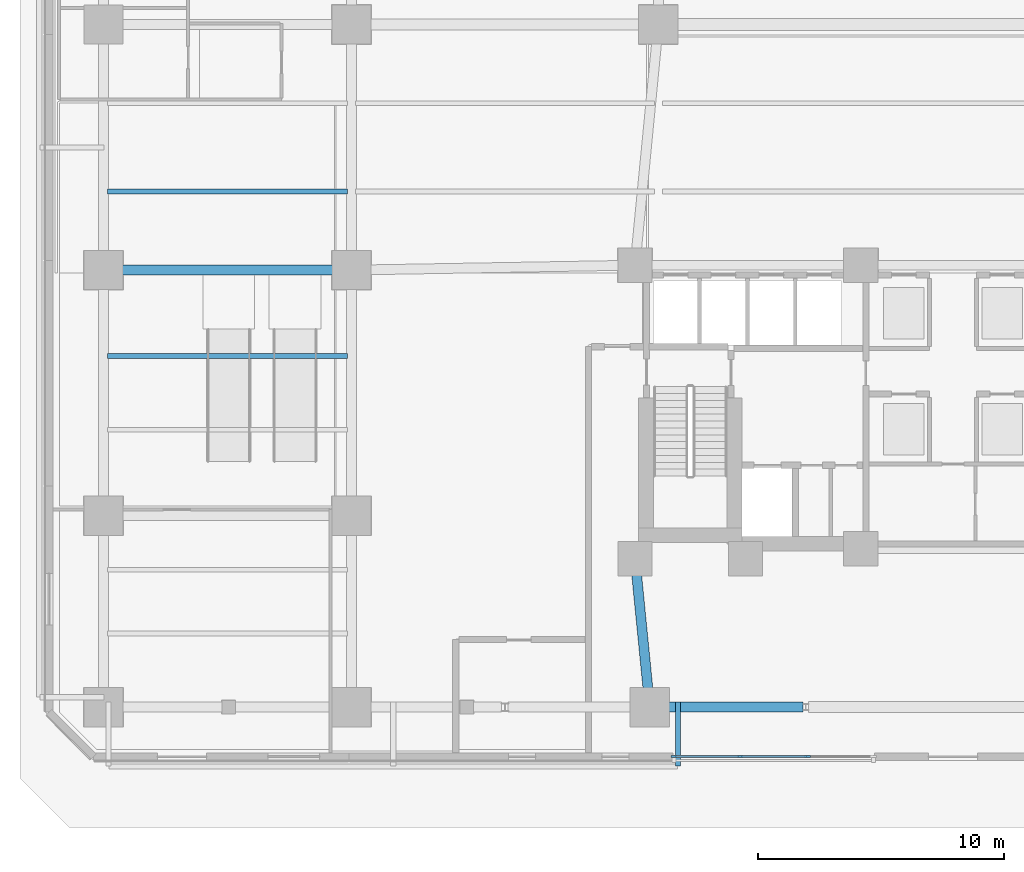
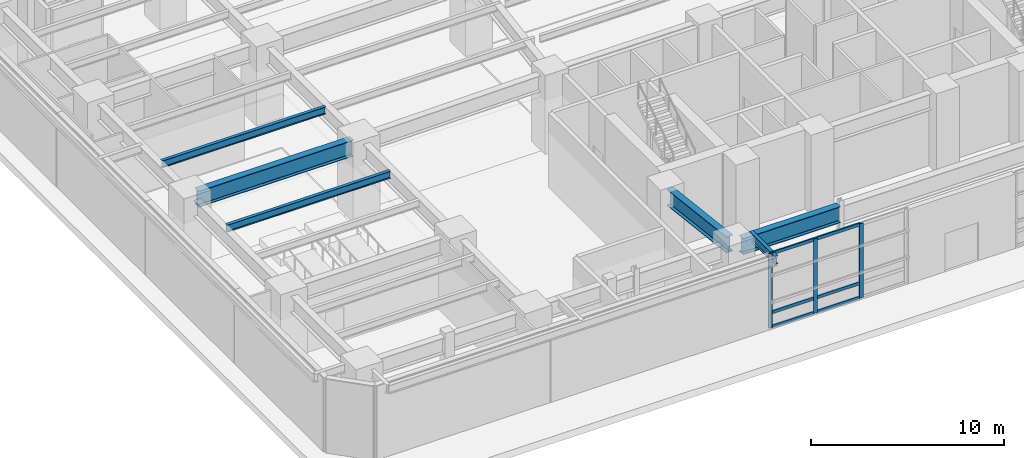
# One storey, part 6 of 26: 9 members, 6 beams, 1 element without a shape of its own.
"""IFC4 building model written with IfcOpenShell, lengths in metres."""

import ifcopenshell
import ifcopenshell.guid

model = None  # the IFC model being written
_history = None  # IfcOwnerHistory: only IFC2X3 demands one
_inside = {}  # id of a spatial element -> (the spatial element, [elements in it])
_under = {}  # id of a project, library or spatial element -> (it, [spatial elements below it])
_declared = {}  # id of a project -> (the project, [libraries it declares])
_typed = {}  # id of a type object -> (the type object, [elements of that type])
_made_of = {}  # id of a material, layer set ... -> (it, [elements and type objects made of it])


def new_model(schema):
    """Start an empty IFC model of exactly this schema.

    Asked for "IFC4X3", IfcOpenShell would pick the latest addendum, in which some entities
    have other attributes; the version numbers below select the first issue.
    IFC2X3 requires an IfcOwnerHistory on every rooted entity: one is made here for all.
    """
    global model, _history
    if schema == "IFC4X3":
        model = ifcopenshell.file(schema_version=(4, 3, 0, 0))
    else:
        model = ifcopenshell.file(schema=schema)
    _inside.clear()
    _under.clear()
    _declared.clear()
    _typed.clear()
    _made_of.clear()
    _history = None
    if model.schema == "IFC2X3":
        org = make("IfcOrganization", Name="unknown")
        user = make(
            "IfcPersonAndOrganization",
            ThePerson=make("IfcPerson", FamilyName="unknown"),
            TheOrganization=org,
        )
        app = make(
            "IfcApplication",
            ApplicationDeveloper=org,
            Version="unknown",
            ApplicationFullName="unknown",
            ApplicationIdentifier="unknown",
        )
        _history = make(
            "IfcOwnerHistory",
            OwningUser=user,
            OwningApplication=app,
            ChangeAction="ADDED",
            CreationDate=0,
        )
    return model


def make(cls, **values):
    """One entity of the class cls with the attributes given. An attribute that is None is left unset."""
    return model.create_entity(
        cls, **{name: value for name, value in values.items() if value is not None}
    )


def rooted(cls, **values):
    """An entity with a GlobalId (a new one), such as an element, a storey or a relation."""
    return make(cls, GlobalId=ifcopenshell.guid.new(), OwnerHistory=_history, **values)


def si_unit(unit_type, name, prefix=None):
    """IfcSIUnit, for example si_unit("LENGTHUNIT", "METRE", prefix="MILLI")."""
    return make("IfcSIUnit", UnitType=unit_type, Prefix=prefix, Name=name)


def assignment(units):
    """IfcUnitAssignment: the units of a project."""
    return None if units is None else make("IfcUnitAssignment", Units=units)


def point(xyz):
    """IfcCartesianPoint."""
    return None if xyz is None else make("IfcCartesianPoint", Coordinates=xyz)


def direction(xyz):
    """IfcDirection."""
    return None if xyz is None else make("IfcDirection", DirectionRatios=xyz)


def frame(location, z_axis=None, x_axis=None):
    """IfcAxis2Placement3D, a coordinate frame: its origin and axes. An axis left out is left unset."""
    return make(
        "IfcAxis2Placement3D",
        Location=point(location),
        Axis=direction(z_axis),
        RefDirection=direction(x_axis),
    )


def frame_2d(location, x_axis=None):
    """IfcAxis2Placement2D, a coordinate frame in the plane: its origin and x axis."""
    return make(
        "IfcAxis2Placement2D", Location=point(location), RefDirection=direction(x_axis)
    )


def origin():
    """The frame at (0, 0, 0) with its axes left unset."""
    return frame((0.0, 0.0, 0.0))


def origin_2d():
    """The frame at (0, 0) in the plane with its x axis left unset."""
    return frame_2d((0.0, 0.0))


def place(relative_to, where):
    """IfcLocalPlacement: puts the frame where relative to a parent placement (None: the world)."""
    return make(
        "IfcLocalPlacement", PlacementRelTo=relative_to, RelativePlacement=where
    )


def context(
    kind, dimensions, precision=None, world=None, true_north=None, identifier=None
):
    """IfcGeometricRepresentationContext, for example the 3D "Model" context."""
    return make(
        "IfcGeometricRepresentationContext",
        ContextIdentifier=identifier,
        ContextType=kind,
        CoordinateSpaceDimension=dimensions,
        Precision=precision,
        WorldCoordinateSystem=world,
        TrueNorth=true_north,
    )


def subcontext(parent, identifier, kind, view, scale=None):
    """IfcGeometricRepresentationSubContext, for example "Body" below "Model"."""
    return make(
        "IfcGeometricRepresentationSubContext",
        ContextIdentifier=identifier,
        ContextType=kind,
        ParentContext=parent,
        TargetScale=scale,
        TargetView=view,
    )


def project(units=None, contexts=None):
    """IfcProject with its units and contexts."""
    return rooted(
        "IfcProject",
        Name="project",
        RepresentationContexts=contexts,
        UnitsInContext=assignment(units),
    )


def spatial(cls, under=None, at=None, **own):
    """A site, building, storey or space (cls), placed at a placement, below another one or the project."""
    s = rooted(cls, ObjectPlacement=at, **own)
    if under is not None:
        _under.setdefault(under.id(), (under, []))[1].append(s)
    return s


def profile(cls, at=None, kind="AREA", **sizes):
    """A parametric profile (cls). Its sizes go by their IFC names, for example OverallWidth=200.0."""
    return make(cls, ProfileType=kind, Position=at, **sizes)


def rectangle(**sizes):
    """IfcRectangleProfileDef."""
    return profile("IfcRectangleProfileDef", **sizes)


def i_section(**sizes):
    """IfcIShapeProfileDef."""
    return profile("IfcIShapeProfileDef", **sizes)


def extrude(swept, where, along, depth):
    """IfcExtrudedAreaSolid: the profile swept, set in the frame where, extruded along a direction by depth."""
    return make(
        "IfcExtrudedAreaSolid",
        SweptArea=swept,
        Position=where,
        ExtrudedDirection=direction(along),
        Depth=depth,
    )


def shape(context_of_items, identifier, shape_type, items):
    """IfcShapeRepresentation: the items that make up one representation, for example the "Body"."""
    return make(
        "IfcShapeRepresentation",
        ContextOfItems=context_of_items,
        RepresentationIdentifier=identifier,
        RepresentationType=shape_type,
        Items=items,
    )


def material(Name=None, Category=None):
    """IfcMaterial."""
    return make("IfcMaterial", Name=Name, Category=Category)


def material_profile(
    of_material, cross_section, Name=None, Category=None, Priority=None
):
    """IfcMaterialProfile: a cross section and its material."""
    return make(
        "IfcMaterialProfile",
        Name=Name,
        Material=of_material,
        Profile=cross_section,
        Priority=Priority,
        Category=Category,
    )


def profile_set(profiles, Name=None, composite=None):
    """IfcMaterialProfileSet."""
    return make(
        "IfcMaterialProfileSet",
        Name=Name,
        MaterialProfiles=profiles,
        CompositeProfile=composite,
    )


def made_of(thing, what):
    """Note that an element or type object is made of a material, layer set ...; save() writes the relation."""
    if what is not None:
        _made_of.setdefault(what.id(), (what, []))[1].append(thing)
    return thing


def type_object(cls, material=None, **own):
    """A type object (cls), such as IfcWallType, which elements share."""
    return made_of(rooted(cls, **own), material)


def element(
    cls,
    number,
    at=None,
    inside=None,
    cuts=None,
    type_object=None,
    material=None,
    context=None,
    identifier="Body",
    shape_type=None,
    held_by="IfcProductDefinitionShape",
    body=None,
    shapes=None,
    **own,
):
    """One element of the class cls, such as IfcWall. Its Tag is "e" and its number.

    at: its placement. inside: the storey or other place that contains it. cuts: it is an
    opening in that element (IfcRelVoidsElement). A single representation is given by context,
    identifier, shape_type and body (its items); several are given by shapes. held_by: the class
    of the entity that holds the representations. save() writes the other relations.
    """
    e = rooted(cls, Tag="e%d" % number, ObjectPlacement=at, **own)
    if body is not None:
        shapes = [shape(context, identifier, shape_type, body)]
    if shapes is not None:
        e.Representation = make(held_by, Representations=shapes)
    if inside is not None:
        _inside.setdefault(inside.id(), (inside, []))[1].append(e)
    if cuts is not None:
        rooted(
            "IfcRelVoidsElement", RelatingBuildingElement=cuts, RelatedOpeningElement=e
        )
    if type_object is not None:
        _typed.setdefault(type_object.id(), (type_object, []))[1].append(e)
    return made_of(e, material)


def aggregate(whole, parts):
    """IfcRelAggregates: a whole, such as a stair, and the parts it consists of."""
    return rooted("IfcRelAggregates", RelatingObject=whole, RelatedObjects=parts)


def save(model, path):
    """Write the relations noted so far, then the file.

    IfcRelAggregates (storeys below a building ...), IfcRelContainedInSpatialStructure (elements
    in a storey), IfcRelDefinesByType, IfcRelAssociatesMaterial and IfcRelDeclares: one each for
    every whole, place, type object, material and project.
    """
    for whole, parts in _under.values():
        aggregate(whole, parts)
    for where, things in _inside.values():
        rooted(
            "IfcRelContainedInSpatialStructure",
            RelatedElements=things,
            RelatingStructure=where,
        )
    for kind, things in _typed.values():
        rooted("IfcRelDefinesByType", RelatedObjects=things, RelatingType=kind)
    for what, things in _made_of.values():
        rooted("IfcRelAssociatesMaterial", RelatedObjects=things, RelatingMaterial=what)
    for by, libraries in _declared.values():
        rooted("IfcRelDeclares", RelatingContext=by, RelatedDefinitions=libraries)
    model.write(path)


model = new_model("IFC4")

# Units and contexts
model_context = context("Model", 3, precision=1e-05, world=origin(), true_north=direction((0.0, 1.0)))
body_context = subcontext(model_context, "Body", "Model", "MODEL_VIEW")
ifc_project = project(units=[si_unit("LENGTHUNIT", "METRE"), si_unit("AREAUNIT", "SQUARE_METRE"), si_unit("VOLUMEUNIT", "CUBIC_METRE"), si_unit("PLANEANGLEUNIT", "RADIAN"), si_unit("MASSUNIT", "GRAM", prefix="KILO")], contexts=[model_context])

# Site, building, storey
site_placement = place(None, origin())
site = spatial("IfcSite", under=ifc_project, at=site_placement, CompositionType="ELEMENT")
building_placement = place(site_placement, origin())
building = spatial("IfcBuilding", under=site, at=building_placement, Name="Quenlor Broadcast Tower", CompositionType="ELEMENT")
storey_placement = place(building_placement, origin())
storey = spatial("IfcBuildingStorey", under=building, at=storey_placement, Name="L00", CompositionType="ELEMENT", Elevation=0.0)

# Curtain wall, members
ifc_material_1 = material(Name="Architectural Terracotta and Low-E Glazing", Category="masonry")
curtain_wall_type = type_object("IfcCurtainWallType", Name="Station Concourse and Crown Terracotta Curtain Wall", PredefinedType="NOTDEFINED", material=ifc_material_1)
curtain_wall_placement = place(storey_placement, origin())
curtain_wall = element("IfcCurtainWall", 1, at=curtain_wall_placement, inside=storey, type_object=curtain_wall_type, Name="L00 Curtain Wall CW6 (L00-S-MID2)", PredefinedType="NOTDEFINED")
ifc_material_2 = material(Name="Aluminium 6063-T6", Category="aluminium")
ifc_material_profile_1 = material_profile(ifc_material_2, rectangle(XDim=0.08203125, YDim=0.239990234375, at=origin_2d()))
ifc_profile_set_1 = profile_set([ifc_material_profile_1], Name="Aluminium 6063-T6 MULL82x240")
member_type_1 = type_object("IfcMemberType", Name="CW6 Aluminium Mullion MULL_CW6", PredefinedType="MULLION", material=ifc_profile_set_1)
member_1_placement = place(storey_placement, frame((-5.933349609375, -24.820068359375, 0.0), z_axis=(0.0, 0.0, 1.0), x_axis=(0.0, -1.0, 0.0)))
member_1 = element("IfcMember", 2, at=member_1_placement, type_object=member_type_1, Name="CW6 mullion 2", PredefinedType="MULLION", context=body_context, shape_type="SweptSolid", body=[
    extrude(rectangle(XDim=0.08203125, YDim=0.239990234375, at=origin_2d()), origin(), (0.0, 0.0, 1.0), 4.699951171875),
])
member_2_placement = place(storey_placement, frame((-8.666748046875, -24.820068359375, 0.0), z_axis=(0.0, 0.0, 1.0), x_axis=(0.0, -1.0, 0.0)))
member_2 = element("IfcMember", 3, at=member_2_placement, type_object=member_type_1, Name="CW6 mullion 3", PredefinedType="MULLION", context=body_context, shape_type="SweptSolid", body=[
    extrude(rectangle(XDim=0.08203125, YDim=0.239990234375, at=origin_2d()), origin(), (0.0, 0.0, 1.0), 4.699951171875),
])
member_3_placement = place(storey_placement, frame((-11.35888671875, -24.820068359375, 0.0), z_axis=(0.0, 0.0, 1.0), x_axis=(0.0, -1.0, 0.0)))
member_3 = element("IfcMember", 4, at=member_3_placement, type_object=member_type_1, Name="CW6 mullion 4", PredefinedType="MULLION", context=body_context, shape_type="SweptSolid", body=[
    extrude(rectangle(XDim=0.08203125, YDim=0.239990234375, at=origin_2d()), origin(), (0.0, 0.0, 1.0), 4.699951171875),
])
ifc_material_3 = material(Name="Aluminium 6063-T6", Category="aluminium")
ifc_material_profile_2 = material_profile(ifc_material_3, rectangle(XDim=0.08203125, YDim=0.195068359375, at=origin_2d()))
ifc_profile_set_2 = profile_set([ifc_material_profile_2], Name="Aluminium 6063-T6 TRAN82x195")
member_type_2 = type_object("IfcMemberType", Name="CW6 Aluminium Transom TRAN_CW6", PredefinedType="USERDEFINED", material=ifc_profile_set_2)
member_4_placement = place(storey_placement, frame((-5.974365234375, -24.820068359375, 0.041015625), z_axis=(-1.0, 0.0, 0.0), x_axis=(0.0, -1.0, 0.0)))
member_4 = element("IfcMember", 5, at=member_4_placement, type_object=member_type_2, Name="CW6 transom 2.1", ObjectType="TRANSOM", PredefinedType="USERDEFINED", context=body_context, shape_type="SweptSolid", body=[
    extrude(rectangle(XDim=0.08203125, YDim=0.195068359375, at=origin_2d()), origin(), (0.0, 0.0, 1.0), 2.6513671875),
])
member_5_placement = place(storey_placement, frame((-5.974365234375, -24.820068359375, 0.949951171875), z_axis=(-1.0, 0.0, 0.0), x_axis=(0.0, -1.0, 0.0)))
member_5 = element("IfcMember", 6, at=member_5_placement, type_object=member_type_2, Name="CW6 transom 2.2", ObjectType="TRANSOM", PredefinedType="USERDEFINED", context=body_context, shape_type="SweptSolid", body=[
    extrude(rectangle(XDim=0.08203125, YDim=0.195068359375, at=origin_2d()), origin(), (0.0, 0.0, 1.0), 2.6513671875),
])
member_6_placement = place(storey_placement, frame((-5.974365234375, -24.820068359375, 4.658935546875), z_axis=(-1.0, 0.0, 0.0), x_axis=(0.0, -1.0, 0.0)))
member_6 = element("IfcMember", 7, at=member_6_placement, type_object=member_type_2, Name="CW6 transom 2.3", ObjectType="TRANSOM", PredefinedType="USERDEFINED", context=body_context, shape_type="SweptSolid", body=[
    extrude(rectangle(XDim=0.08203125, YDim=0.195068359375, at=origin_2d()), origin(), (0.0, 0.0, 1.0), 2.6513671875),
])
member_7_placement = place(storey_placement, frame((-8.707763671875, -24.820068359375, 0.041015625), z_axis=(-1.0, 0.0, 0.0), x_axis=(0.0, -1.0, 0.0)))
member_7 = element("IfcMember", 8, at=member_7_placement, type_object=member_type_2, Name="CW6 transom 3.1", ObjectType="TRANSOM", PredefinedType="USERDEFINED", context=body_context, shape_type="SweptSolid", body=[
    extrude(rectangle(XDim=0.08203125, YDim=0.195068359375, at=origin_2d()), origin(), (0.0, 0.0, 1.0), 2.6103515625),
])
member_8_placement = place(storey_placement, frame((-8.707763671875, -24.820068359375, 0.949951171875), z_axis=(-1.0, 0.0, 0.0), x_axis=(0.0, -1.0, 0.0)))
member_8 = element("IfcMember", 9, at=member_8_placement, type_object=member_type_2, Name="CW6 transom 3.2", ObjectType="TRANSOM", PredefinedType="USERDEFINED", context=body_context, shape_type="SweptSolid", body=[
    extrude(rectangle(XDim=0.08203125, YDim=0.195068359375, at=origin_2d()), origin(), (0.0, 0.0, 1.0), 2.6103515625),
])
member_9_placement = place(storey_placement, frame((-8.707763671875, -24.820068359375, 4.658935546875), z_axis=(-1.0, 0.0, 0.0), x_axis=(0.0, -1.0, 0.0)))
member_9 = element("IfcMember", 10, at=member_9_placement, type_object=member_type_2, Name="CW6 transom 3.3", ObjectType="TRANSOM", PredefinedType="USERDEFINED", context=body_context, shape_type="SweptSolid", body=[
    extrude(rectangle(XDim=0.08203125, YDim=0.195068359375, at=origin_2d()), origin(), (0.0, 0.0, 1.0), 2.6103515625),
])
aggregate(curtain_wall, [member_1, member_2, member_3, member_4, member_5, member_6, member_7, member_8, member_9])

# Beams
ifc_material_4 = material(Name="Steel S355", Category="steel")
ifc_material_profile_3 = material_profile(ifc_material_4, i_section(OverallWidth=0.208984375, OverallDepth=0.532958984375, WebThickness=0.01025390625, FlangeThickness=0.015625, FilletRadius=0.013916015625, at=origin_2d()))
ifc_profile_set_3 = profile_set([ifc_material_profile_3], Name="Steel S355 530UB92.4")
beam_type_1 = type_object("IfcBeamType", Name="Perimeter Spandrel Beam Z1 Steel S355 530UB92.4", PredefinedType="SPANDREL", material=ifc_profile_set_3)
beam_1_placement = place(storey_placement, frame((-11.199951171875, -22.5849609375, 4.43359375), z_axis=(0.0, -1.0, 0.0), x_axis=(1.0, 0.0, 0.0)))
element("IfcBeam", 11, at=beam_1_placement, inside=storey, type_object=beam_type_1, Name="L00 Podium Lattice Sill Tie SW1", PredefinedType="SPANDREL", context=body_context, shape_type="SweptSolid", body=[
    extrude(i_section(OverallWidth=0.208984375, OverallDepth=0.532958984375, WebThickness=0.01025390625, FlangeThickness=0.015625, FilletRadius=0.013916015625, at=origin_2d()), origin(), (0.0, 0.0, 1.0), 2.610107421875),
])
ifc_material_5 = material(Name="Steel S355", Category="steel")
ifc_material_profile_4 = material_profile(ifc_material_5, i_section(OverallWidth=0.39990234375, OverallDepth=1.02392578125, WebThickness=0.01611328125, FlangeThickness=0.031982421875, FilletRadius=0.01611328125, at=origin_2d()))
ifc_profile_set_4 = profile_set([ifc_material_profile_4], Name="Steel S355 1000WB322")
beam_type_2 = type_object("IfcBeamType", Name="Podium Concourse Girder Steel S355 1000WB322", PredefinedType="BEAM", material=ifc_profile_set_4)
beam_2_placement = place(storey_placement, frame((-11.929931640625, -22.800048828125, 4.18798828125), z_axis=(1.0, 0.0, 0.0), x_axis=(0.0, 1.0, 0.0)))
element("IfcBeam", 12, at=beam_2_placement, inside=storey, type_object=beam_type_2, Name="L00 Podium Girder 4", PredefinedType="BEAM", context=body_context, shape_type="SweptSolid", body=[
    extrude(i_section(OverallWidth=0.39990234375, OverallDepth=1.02392578125, WebThickness=0.01611328125, FlangeThickness=0.031982421875, FilletRadius=0.01611328125, at=origin_2d()), origin(), (0.0, 0.0, 1.0), 5.822021484375),
])
beam_3_placement = place(storey_placement, frame((-34.179931640625, -5.0, 4.18798828125), z_axis=(1.0, 0.0, 0.0), x_axis=(0.0, 1.0, 0.0)))
element("IfcBeam", 13, at=beam_3_placement, inside=storey, type_object=beam_type_2, Name="L00 Podium Girder 12", PredefinedType="BEAM", context=body_context, shape_type="SweptSolid", body=[
    extrude(i_section(OverallWidth=0.39990234375, OverallDepth=1.02392578125, WebThickness=0.01611328125, FlangeThickness=0.031982421875, FilletRadius=0.01611328125, at=origin_2d()), origin(), (0.0, 0.0, 1.0), 9.260009765625),
])
beam_4_placement = place(storey_placement, frame((-12.91259765625, -17.128173828125, 4.18798828125), z_axis=(0.098717586069, -0.995115489881, 0.0), x_axis=(0.995115489881, 0.098717586069, 0.0)))
element("IfcBeam", 14, at=beam_4_placement, inside=storey, type_object=beam_type_2, Name="L00 Podium Concourse Girder 3", PredefinedType="BEAM", context=body_context, shape_type="SweptSolid", body=[
    extrude(i_section(OverallWidth=0.39990234375, OverallDepth=1.02392578125, WebThickness=0.01611328125, FlangeThickness=0.031982421875, FilletRadius=0.01611328125, at=origin_2d()), origin(), (0.0, 0.0, 1.0), 5.319580078125),
])
ifc_material_6 = material(Name="Steel S355", Category="steel")
ifc_material_profile_5 = material_profile(ifc_material_6, i_section(OverallWidth=0.18994140625, OverallDepth=0.453857421875, WebThickness=0.008544921875, FlangeThickness=0.0126953125, FilletRadius=0.011474609375, at=origin_2d()))
ifc_profile_set_5 = profile_set([ifc_material_profile_5], Name="Steel S355 460UB67.1")
beam_type_3 = type_object("IfcBeamType", Name="Podium Floor Joist Steel S355 460UB67.1", PredefinedType="JOIST", material=ifc_profile_set_5)
for number, where, z_axis, x_axis, name in (
    (15, (-34.43994140625, -8.5, 4.47314453125), (1.0, 0.0, 0.0), (0.0, 1.0, 0.0), "L00 Podium Floor Joist 27"),
    (16, (-34.43994140625, -1.800048828125, 4.47314453125), (1.0, 0.0, 0.0), (0.0, 1.0, 0.0), "L00 Podium Floor Joist 29"),
):
    element("IfcBeam", number, at=place(storey_placement, frame(where, z_axis=z_axis, x_axis=x_axis)), inside=storey, type_object=beam_type_3, Name=name, PredefinedType="JOIST", context=body_context, shape_type="SweptSolid", body=[
        extrude(i_section(OverallWidth=0.18994140625, OverallDepth=0.453857421875, WebThickness=0.008544921875, FlangeThickness=0.0126953125, FilletRadius=0.011474609375, at=origin_2d()), origin(), (0.0, 0.0, 1.0), 9.780029296875),
    ])

save(model, "model.ifc")
